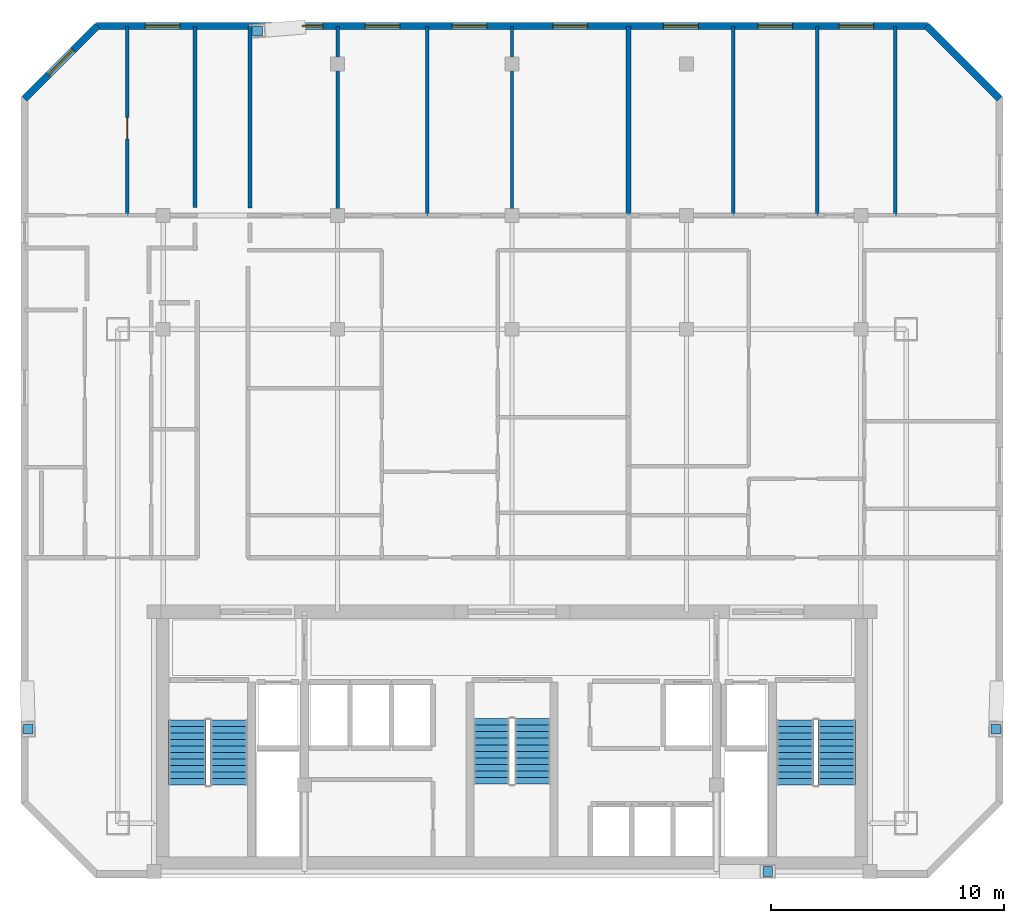
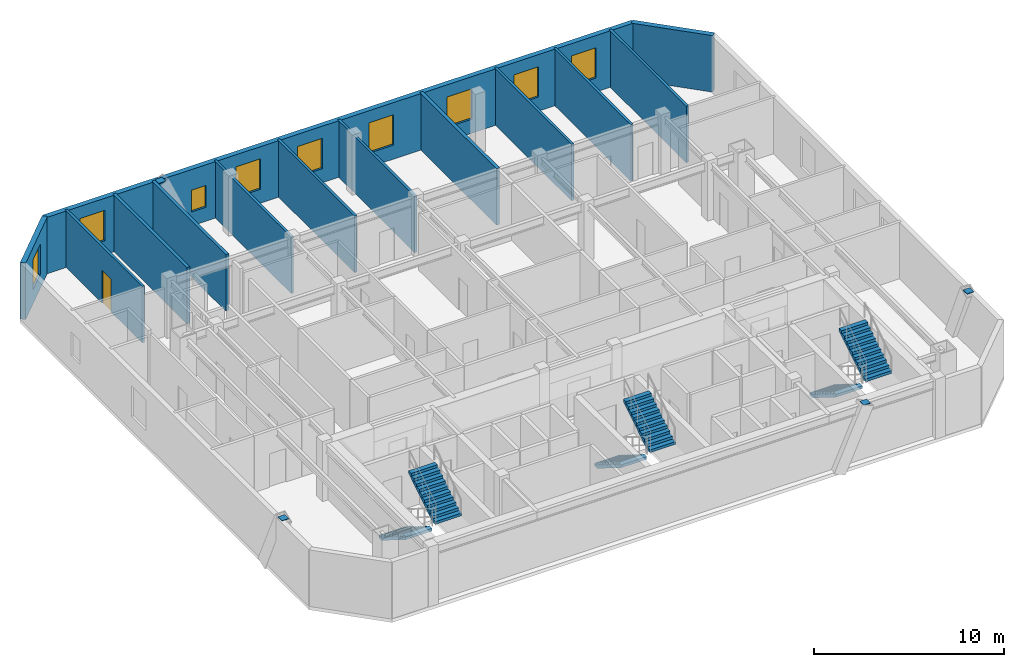
# One storey, part 6 of 7: 13 walls, 9 windows, 6 stair flights, 4 discrete accessories, 1 door, 10 openings, 3 elements without a shape of their own.
"""IFC4 building model written with IfcOpenShell, lengths in metres."""

from ifc_helpers import new_model, si_unit, direction, frame, frame_2d, origin, origin_2d, place, context, subcontext, project, spatial, polyline, rectangle, outline, extrude, material, layer, layer_set, type_object, element, fill, aggregate, save


model = new_model("IFC4")

# Units and contexts
model_context = context("Model", 3, precision=1e-05, world=origin(), true_north=direction((0.0, 1.0)))
body_context = subcontext(model_context, "Body", "Model", "MODEL_VIEW")
ifc_project = project(units=[si_unit("LENGTHUNIT", "METRE"), si_unit("AREAUNIT", "SQUARE_METRE"), si_unit("VOLUMEUNIT", "CUBIC_METRE"), si_unit("PLANEANGLEUNIT", "RADIAN"), si_unit("MASSUNIT", "GRAM", prefix="KILO")], contexts=[model_context])

# Site, building, storey
site_placement = place(None, origin())
site = spatial("IfcSite", under=ifc_project, at=site_placement, CompositionType="ELEMENT")
building_placement = place(site_placement, origin())
building = spatial("IfcBuilding", under=site, at=building_placement, Name="Ventersveld Concourse Tower", CompositionType="ELEMENT")
storey_placement = place(building_placement, frame((0.0, 0.0, 238.800048828125)))
storey = spatial("IfcBuildingStorey", under=building, at=storey_placement, Name="L59", CompositionType="ELEMENT", Elevation=238.800048828125)

# Walls
ifc_material_1 = material(Name="Fire-rated autoclaved aerated masonry blockwork", Category="masonry")
ifc_layer_1 = layer(ifc_material_1, 0.179931640625)
ifc_layer_set_1 = layer_set([ifc_layer_1], Name="Fire-rated autoclaved aerated masonry blockwork")
wall_type_1 = type_object("IfcWallType", Name="WL-CORR-180", PredefinedType="PARTITIONING", material=ifc_layer_set_1)
for number, where, z_axis, x_axis, name in (
    (1, (15.1201171875, 36.6162109375, 0.0), (0.0, 0.0, 1.0), (0.0, -1.0, 0.0), "L59 Room Enclosure Wall SP-L59-59NW-BR2"),
    (2, (17.47998046875, 28.824951171875, 0.0), (0.0, 0.0, 1.0), (0.0, 1.0, 0.0), "L59 Room Enclosure Wall SP-L59-59N1-BR1"),
):
    element("IfcWall", number, at=place(storey_placement, frame(where, z_axis=z_axis, x_axis=x_axis)), inside=storey, type_object=wall_type_1, Name=name, PredefinedType="PARTITIONING", context=body_context, shape_type="SweptSolid", body=[
        extrude(rectangle(XDim=7.791259765625, YDim=0.179931640625, at=frame_2d((3.8955078125, 0.0))), origin(), (0.0, 0.0, 1.0), 3.6298828125),
    ])
ifc_layer_2 = layer(ifc_material_1, 0.199951171875)
ifc_layer_set_2 = layer_set([ifc_layer_2], Name="Fire-rated autoclaved aerated masonry blockwork")
wall_type_2 = type_object("IfcWallType", Name="WL-DEMISE-200", PredefinedType="PARTITIONING", material=ifc_layer_set_2)
wall_1_placement = place(storey_placement, frame((33.75830078125, 28.534912109375, 0.0), z_axis=(0.0, 0.0, 1.0), x_axis=(0.0, 1.0, 0.0)))
element("IfcWall", 3, at=wall_1_placement, inside=storey, type_object=wall_type_2, Name="L59 Interior Partition SP-L59-59N1-BR4-SP-L59-59N2-BR1", PredefinedType="PARTITIONING", context=body_context, shape_type="SweptSolid", body=[
    extrude(rectangle(XDim=8.081298828125, YDim=0.199951171875, at=frame_2d((4.04052734375, 0.0))), origin(), (0.0, 0.0, 1.0), 3.6298828125),
])

# Wall, opening, door
ifc_material_2 = material(Name="Autoclaved aerated masonry blockwork", Category="masonry")
ifc_layer_3 = layer(ifc_material_2, 0.14990234375)
ifc_layer_set_3 = layer_set([ifc_layer_3], Name="Autoclaved aerated masonry blockwork")
wall_type_3 = type_object("IfcWallType", Name="WL-INT-150", PredefinedType="PARTITIONING", material=ifc_layer_set_3)
wall_2_placement = place(storey_placement, frame((12.198486328125, 28.4951171875, 0.0), z_axis=(0.0, 0.0, 1.0), x_axis=(0.0, 1.0, 0.0)))
wall_2 = element("IfcWall", 4, at=wall_2_placement, inside=storey, type_object=wall_type_3, Name="L59 Interior Partition SP-L59-59NW-BR1-SP-L59-59NW-BR2", PredefinedType="PARTITIONING", context=body_context, shape_type="SweptSolid", body=[
    extrude(rectangle(XDim=8.12109375, YDim=0.14990234375, at=frame_2d((4.060546875, 0.0))), origin(), (0.0, 0.0, 1.0), 3.6298828125),
])
opening_1_placement = place(wall_2_placement, frame((3.29443359375, 0.0, 0.0)))
opening_1 = element("IfcOpeningElement", 5, at=opening_1_placement, cuts=wall_2, Name="Opening ID1", PredefinedType="OPENING", context=body_context, shape_type="SweptSolid", body=[
    extrude(rectangle(XDim=0.919921875, YDim=2.10009765625, at=frame_2d((0.4599609375, 1.050048828125))), frame((0.0, 0.0849609375, 0.0), z_axis=(0.0, -1.0, 0.0), x_axis=(1.0, 0.0, 0.0)), (0.0, 0.0, 1.0), 0.169921875),
])
ifc_material_3 = material(Name="Solid-core hardwood veneer timber", Category="wood")
door_type = type_object("IfcDoorType", Name="DR-ROOM-092", OperationType="NOTDEFINED", PredefinedType="DOOR", material=ifc_material_3)
door_placement = place(opening_1_placement, origin())
door = element("IfcDoor", 6, at=door_placement, inside=storey, type_object=door_type, Name="L59 Interior Door Flat 59NW Bedroom 2 (D-L59-2865)", OperationType="SINGLE_SWING_RIGHT", OverallHeight=2.10009765625, OverallWidth=0.919921875, PredefinedType="DOOR", context=body_context, shape_type="SweptSolid", body=[
    extrude(rectangle(XDim=0.919921875, YDim=2.10009765625, at=frame_2d((0.4599609375, 1.050048828125))), frame((0.0, 0.02490234375, 0.0), z_axis=(0.0, -1.0, 0.0), x_axis=(1.0, 0.0, 0.0)), (0.0, 0.0, 1.0), 0.050048828125),
])
fill(opening_1, door)

# Walls
for number, where, z_axis, x_axis, name in (
    (7, (21.25, 28.4951171875, 0.0), (0.0, 0.0, 1.0), (0.0, 1.0, 0.0), "L59 Interior Partition SP-L59-59N1-BR1-SP-L59-59N1-BR2"),
    (8, (25.09765625, 28.4951171875, 0.0), (0.0, 0.0, 1.0), (0.0, 1.0, 0.0), "L59 Interior Partition SP-L59-59N1-BR2-SP-L59-59N1-BR3"),
    (9, (28.75, 28.4951171875, 0.0), (0.0, 0.0, 1.0), (0.0, 1.0, 0.0), "L59 Interior Partition SP-L59-59N1-BR3-SP-L59-59N1-BR4"),
    (10, (38.26953125, 28.4951171875, 0.0), (0.0, 0.0, 1.0), (0.0, 1.0, 0.0), "L59 Interior Partition SP-L59-59N2-BR1-SP-L59-59N2-BR2"),
    (11, (41.868896484375, 28.4951171875, 0.0), (0.0, 0.0, 1.0), (0.0, 1.0, 0.0), "L59 Interior Partition SP-L59-59N2-BR2-SP-L59-59N2-BR3"),
    (12, (45.240478515625, 28.4951171875, 0.0), (0.0, 0.0, 1.0), (0.0, 1.0, 0.0), "L59 Interior Partition SP-L59-59N2-BR3-SP-L59-59N2-BR4"),
):
    element("IfcWall", number, at=place(storey_placement, frame(where, z_axis=z_axis, x_axis=x_axis)), inside=storey, type_object=wall_type_3, Name=name, PredefinedType="PARTITIONING", context=body_context, shape_type="SweptSolid", body=[
        extrude(rectangle(XDim=8.12109375, YDim=0.14990234375, at=frame_2d((4.060546875, 0.0))), origin(), (0.0, 0.0, 1.0), 3.6298828125),
    ])
ifc_material_4 = material(Name="Precast concrete C45/55", Category="concrete")
ifc_layer_4 = layer(ifc_material_4, 0.300048828125)
ifc_layer_set_4 = layer_set([ifc_layer_4], Name="Precast concrete C45/55")
wall_type_4 = type_object("IfcWallType", Name="WL-PREC-300", PredefinedType="SOLIDWALL", material=ifc_layer_set_4)
wall_3_placement = place(storey_placement, frame((49.723388671875, 33.510986328125, 0.0), z_axis=(0.0, 0.0, 1.0), x_axis=(-0.707106781187, 0.707106781187, 0.0)))
element("IfcWall", 13, at=wall_3_placement, inside=storey, type_object=wall_type_4, Name="L59 Highveld Precast Facade Wall E04", PredefinedType="SOLIDWALL", context=body_context, shape_type="SweptSolid", body=[
    extrude(rectangle(XDim=4.4453125, YDim=0.300048828125, at=frame_2d((2.22265625, 0.0))), origin(), (0.0, 0.0, 1.0), 3.6298828125),
])

# Wall, openings, windows
wall_4_placement = place(storey_placement, frame((46.617919921875, 36.638916015625, 0.0), z_axis=(0.0, 0.0, 1.0), x_axis=(-1.0, 0.0, 0.0)))
wall_4 = element("IfcWall", 14, at=wall_4_placement, inside=storey, type_object=wall_type_4, Name="L59 Highveld Precast Facade Wall E05", PredefinedType="SOLIDWALL", context=body_context, shape_type="SweptSolid", body=[
    extrude(rectangle(XDim=35.73583984375, YDim=0.300048828125, at=frame_2d((17.867919921875, 0.0))), origin(), (0.0, 0.0, 1.0), 3.6298828125),
])
opening_2_placement = place(wall_4_placement, frame((32.1474609375, 0.0, 0.89990234375)))
opening_2 = element("IfcOpeningElement", 15, at=opening_2_placement, cuts=wall_4, Name="Opening W1", PredefinedType="OPENING", context=body_context, shape_type="SweptSolid", body=[
    extrude(rectangle(XDim=1.5, YDim=1.949951171875, at=frame_2d((0.75, 0.97509765625))), frame((0.0, 0.16015625, 0.0), z_axis=(0.0, -1.0, 0.0), x_axis=(1.0, 0.0, 0.0)), (0.0, 0.0, 1.0), 0.320068359375),
])
opening_3_placement = place(wall_4_placement, frame((25.99072265625, 0.0, 0.89990234375)))
opening_3 = element("IfcOpeningElement", 16, at=opening_3_placement, cuts=wall_4, Name="Opening W8", PredefinedType="OPENING", context=body_context, shape_type="SweptSolid", body=[
    extrude(rectangle(XDim=0.89990234375, YDim=1.39990234375, at=frame_2d((0.449951171875, 0.699951171875))), frame((0.0, 0.16015625, 0.0), z_axis=(0.0, -1.0, 0.0), x_axis=(1.0, 0.0, 0.0)), (0.0, 0.0, 1.0), 0.320068359375),
])
opening_4_placement = place(wall_4_placement, frame((22.694091796875, 0.0, 0.89990234375)))
opening_4 = element("IfcOpeningElement", 17, at=opening_4_placement, cuts=wall_4, Name="Opening W1", PredefinedType="OPENING", context=body_context, shape_type="SweptSolid", body=[
    extrude(rectangle(XDim=1.5, YDim=1.949951171875, at=frame_2d((0.75, 0.97509765625))), frame((0.0, 0.16015625, 0.0), z_axis=(0.0, -1.0, 0.0), x_axis=(1.0, 0.0, 0.0)), (0.0, 0.0, 1.0), 0.320068359375),
])
opening_5_placement = place(wall_4_placement, frame((18.944091796875, 0.0, 0.89990234375)))
opening_5 = element("IfcOpeningElement", 18, at=opening_5_placement, cuts=wall_4, Name="Opening W1", PredefinedType="OPENING", context=body_context, shape_type="SweptSolid", body=[
    extrude(rectangle(XDim=1.5, YDim=1.949951171875, at=frame_2d((0.75, 0.97509765625))), frame((0.0, 0.16015625, 0.0), z_axis=(0.0, -1.0, 0.0), x_axis=(1.0, 0.0, 0.0)), (0.0, 0.0, 1.0), 0.320068359375),
])
opening_6_placement = place(wall_4_placement, frame((14.613525390625, 0.0, 0.89990234375)))
opening_6 = element("IfcOpeningElement", 19, at=opening_6_placement, cuts=wall_4, Name="Opening W1", PredefinedType="OPENING", context=body_context, shape_type="SweptSolid", body=[
    extrude(rectangle(XDim=1.5, YDim=1.949951171875, at=frame_2d((0.75, 0.97509765625))), frame((0.0, 0.16015625, 0.0), z_axis=(0.0, -1.0, 0.0), x_axis=(1.0, 0.0, 0.0)), (0.0, 0.0, 1.0), 0.320068359375),
])
opening_7_placement = place(wall_4_placement, frame((9.853759765625, 0.0, 0.89990234375)))
opening_7 = element("IfcOpeningElement", 20, at=opening_7_placement, cuts=wall_4, Name="Opening W1", PredefinedType="OPENING", context=body_context, shape_type="SweptSolid", body=[
    extrude(rectangle(XDim=1.5, YDim=1.949951171875, at=frame_2d((0.75, 0.97509765625))), frame((0.0, 0.16015625, 0.0), z_axis=(0.0, -1.0, 0.0), x_axis=(1.0, 0.0, 0.0)), (0.0, 0.0, 1.0), 0.320068359375),
])
opening_8_placement = place(wall_4_placement, frame((5.798583984375, 0.0, 0.89990234375)))
opening_8 = element("IfcOpeningElement", 21, at=opening_8_placement, cuts=wall_4, Name="Opening W1", PredefinedType="OPENING", context=body_context, shape_type="SweptSolid", body=[
    extrude(rectangle(XDim=1.5, YDim=1.949951171875, at=frame_2d((0.75, 0.97509765625))), frame((0.0, 0.16015625, 0.0), z_axis=(0.0, -1.0, 0.0), x_axis=(1.0, 0.0, 0.0)), (0.0, 0.0, 1.0), 0.320068359375),
])
opening_9_placement = place(wall_4_placement, frame((2.31298828125, 0.0, 0.89990234375)))
opening_9 = element("IfcOpeningElement", 22, at=opening_9_placement, cuts=wall_4, Name="Opening W1", PredefinedType="OPENING", context=body_context, shape_type="SweptSolid", body=[
    extrude(rectangle(XDim=1.5, YDim=1.949951171875, at=frame_2d((0.75, 0.97509765625))), frame((0.0, 0.16015625, 0.0), z_axis=(0.0, -1.0, 0.0), x_axis=(1.0, 0.0, 0.0)), (0.0, 0.0, 1.0), 0.320068359375),
])
ifc_material_5 = material(Name="Tempered acoustic Low-E IGU", Category="glass")
window_type_1 = type_object("IfcWindowType", Name="WIN-090x140", PartitioningType="SINGLE_PANEL", PredefinedType="WINDOW", material=ifc_material_5)
window_1_placement = place(opening_3_placement, origin())
window_1 = element("IfcWindow", 23, at=window_1_placement, inside=storey, type_object=window_type_1, Name="L59 Punched Low-E Window W-0847", OverallHeight=1.39990234375, OverallWidth=0.89990234375, PartitioningType="SINGLE_PANEL", PredefinedType="WINDOW", context=body_context, shape_type="SweptSolid", body=[
    extrude(rectangle(XDim=0.89990234375, YDim=1.39990234375, at=frame_2d((0.449951171875, 0.699951171875))), frame((0.0, 0.030029296875, 0.0), z_axis=(0.0, -1.0, 0.0), x_axis=(1.0, 0.0, 0.0)), (0.0, 0.0, 1.0), 0.06005859375),
])
fill(opening_3, window_1)
window_type_2 = type_object("IfcWindowType", Name="WIN-150x210", PartitioningType="SINGLE_PANEL", PredefinedType="WINDOW", material=ifc_material_5)
window_2_placement = place(opening_2_placement, origin())
window_2 = element("IfcWindow", 24, at=window_2_placement, inside=storey, type_object=window_type_2, Name="L59 Punched Low-E Window W-0846", OverallHeight=1.949951171875, OverallWidth=1.5, PartitioningType="SINGLE_PANEL", PredefinedType="WINDOW", context=body_context, shape_type="SweptSolid", body=[
    extrude(rectangle(XDim=1.5, YDim=1.949951171875, at=frame_2d((0.75, 0.97509765625))), frame((0.0, 0.030029296875, 0.0), z_axis=(0.0, -1.0, 0.0), x_axis=(1.0, 0.0, 0.0)), (0.0, 0.0, 1.0), 0.06005859375),
])
fill(opening_2, window_2)
window_3_placement = place(opening_4_placement, origin())
window_3 = element("IfcWindow", 25, at=window_3_placement, inside=storey, type_object=window_type_2, Name="L59 Punched Low-E Window W-0848", OverallHeight=1.949951171875, OverallWidth=1.5, PartitioningType="SINGLE_PANEL", PredefinedType="WINDOW", context=body_context, shape_type="SweptSolid", body=[
    extrude(rectangle(XDim=1.5, YDim=1.949951171875, at=frame_2d((0.75, 0.97509765625))), frame((0.0, 0.030029296875, 0.0), z_axis=(0.0, -1.0, 0.0), x_axis=(1.0, 0.0, 0.0)), (0.0, 0.0, 1.0), 0.06005859375),
])
fill(opening_4, window_3)
window_4_placement = place(opening_5_placement, origin())
window_4 = element("IfcWindow", 26, at=window_4_placement, inside=storey, type_object=window_type_2, Name="L59 Punched Low-E Window W-0849", OverallHeight=1.949951171875, OverallWidth=1.5, PartitioningType="SINGLE_PANEL", PredefinedType="WINDOW", context=body_context, shape_type="SweptSolid", body=[
    extrude(rectangle(XDim=1.5, YDim=1.949951171875, at=frame_2d((0.75, 0.97509765625))), frame((0.0, 0.030029296875, 0.0), z_axis=(0.0, -1.0, 0.0), x_axis=(1.0, 0.0, 0.0)), (0.0, 0.0, 1.0), 0.06005859375),
])
fill(opening_5, window_4)
window_5_placement = place(opening_6_placement, origin())
window_5 = element("IfcWindow", 27, at=window_5_placement, inside=storey, type_object=window_type_2, Name="L59 Punched Low-E Window W-0850", OverallHeight=1.949951171875, OverallWidth=1.5, PartitioningType="SINGLE_PANEL", PredefinedType="WINDOW", context=body_context, shape_type="SweptSolid", body=[
    extrude(rectangle(XDim=1.5, YDim=1.949951171875, at=frame_2d((0.75, 0.97509765625))), frame((0.0, 0.030029296875, 0.0), z_axis=(0.0, -1.0, 0.0), x_axis=(1.0, 0.0, 0.0)), (0.0, 0.0, 1.0), 0.06005859375),
])
fill(opening_6, window_5)
window_6_placement = place(opening_7_placement, origin())
window_6 = element("IfcWindow", 28, at=window_6_placement, inside=storey, type_object=window_type_2, Name="L59 Punched Low-E Window W-0855", OverallHeight=1.949951171875, OverallWidth=1.5, PartitioningType="SINGLE_PANEL", PredefinedType="WINDOW", context=body_context, shape_type="SweptSolid", body=[
    extrude(rectangle(XDim=1.5, YDim=1.949951171875, at=frame_2d((0.75, 0.97509765625))), frame((0.0, 0.030029296875, 0.0), z_axis=(0.0, -1.0, 0.0), x_axis=(1.0, 0.0, 0.0)), (0.0, 0.0, 1.0), 0.06005859375),
])
fill(opening_7, window_6)
window_7_placement = place(opening_8_placement, origin())
window_7 = element("IfcWindow", 29, at=window_7_placement, inside=storey, type_object=window_type_2, Name="L59 Punched Low-E Window W-0856", OverallHeight=1.949951171875, OverallWidth=1.5, PartitioningType="SINGLE_PANEL", PredefinedType="WINDOW", context=body_context, shape_type="SweptSolid", body=[
    extrude(rectangle(XDim=1.5, YDim=1.949951171875, at=frame_2d((0.75, 0.97509765625))), frame((0.0, 0.030029296875, 0.0), z_axis=(0.0, -1.0, 0.0), x_axis=(1.0, 0.0, 0.0)), (0.0, 0.0, 1.0), 0.06005859375),
])
fill(opening_8, window_7)
window_8_placement = place(opening_9_placement, origin())
window_8 = element("IfcWindow", 30, at=window_8_placement, inside=storey, type_object=window_type_2, Name="L59 Punched Low-E Window W-0857", OverallHeight=1.949951171875, OverallWidth=1.5, PartitioningType="SINGLE_PANEL", PredefinedType="WINDOW", context=body_context, shape_type="SweptSolid", body=[
    extrude(rectangle(XDim=1.5, YDim=1.949951171875, at=frame_2d((0.75, 0.97509765625))), frame((0.0, 0.030029296875, 0.0), z_axis=(0.0, -1.0, 0.0), x_axis=(1.0, 0.0, 0.0)), (0.0, 0.0, 1.0), 0.06005859375),
])
fill(opening_9, window_8)

# Wall, opening, window
wall_5_placement = place(storey_placement, frame((10.919921875, 36.654296875, 0.0), z_axis=(0.0, 0.0, 1.0), x_axis=(-0.707106781187, -0.707106781187, 0.0)))
wall_5 = element("IfcWall", 31, at=wall_5_placement, inside=storey, type_object=wall_type_4, Name="L59 Highveld Precast Facade Wall E06", PredefinedType="SOLIDWALL", context=body_context, shape_type="SweptSolid", body=[
    extrude(rectangle(XDim=4.4453125, YDim=0.300048828125, at=frame_2d((2.22265625, 0.0))), origin(), (0.0, 0.0, 1.0), 3.6298828125),
])
opening_10_placement = place(wall_5_placement, frame((1.47265625, 0.0, 0.89990234375)))
opening_10 = element("IfcOpeningElement", 32, at=opening_10_placement, cuts=wall_5, Name="Opening W1", PredefinedType="OPENING", context=body_context, shape_type="SweptSolid", body=[
    extrude(rectangle(XDim=1.5, YDim=1.949951171875, at=frame_2d((0.75, 0.97509765625))), frame((0.0, 0.16015625, 0.0), z_axis=(0.0, -1.0, 0.0), x_axis=(1.0, 0.0, 0.0)), (0.0, 0.0, 1.0), 0.320068359375),
])
window_9_placement = place(opening_10_placement, origin())
window_9 = element("IfcWindow", 33, at=window_9_placement, inside=storey, type_object=window_type_2, Name="L59 Punched Low-E Window W-0845", OverallHeight=1.949951171875, OverallWidth=1.5, PartitioningType="SINGLE_PANEL", PredefinedType="WINDOW", context=body_context, shape_type="SweptSolid", body=[
    extrude(rectangle(XDim=1.5, YDim=1.949951171875, at=frame_2d((0.75, 0.97509765625))), frame((0.0, 0.030029296875, 0.0), z_axis=(0.0, -1.0, 0.0), x_axis=(1.0, 0.0, 0.0)), (0.0, 0.0, 1.0), 0.06005859375),
])
fill(opening_10, window_9)

# Stair, stair flights
ifc_material_6 = material(Name="Concrete C50/60", Category="concrete")
stair_type_1 = type_object("IfcStairType", Name="ST-DOG-155", PredefinedType="HALF_TURN_STAIR", material=ifc_material_6)
stair_1_placement = place(storey_placement, origin())
stair_1 = element("IfcStair", 34, at=stair_1_placement, inside=storey, type_object=stair_type_1, Name="L59 Protected Central Core Escape Stair ST-03", PredefinedType="HALF_TURN_STAIR")
stair_flight_type_1 = type_object("IfcStairFlightType", Name="STF-RC-155", PredefinedType="STRAIGHT", material=ifc_material_6)
stair_flight_1_placement = place(storey_placement, frame((27.875, 6.85009765625, 0.0), z_axis=(0.0, 0.0, 1.0), x_axis=(0.0, -1.0, 0.0)))
stair_flight_1 = element("IfcStairFlight", 35, at=stair_flight_1_placement, type_object=stair_flight_type_1, Name="ST-03 flight 1", NumberOfRisers=11, NumberOfTreads=10, PredefinedType="STRAIGHT", RiserHeight=0.175, TreadLength=0.28, context=body_context, shape_type="SweptSolid", body=[
    extrude(outline(polyline([(0.0, 0.0), (0.0, 0.175048828125), (0.280029296875, 0.175048828125), (0.280029296875, 0.35009765625), (0.56005859375, 0.35009765625), (0.56005859375, 0.52490234375), (0.840087890625, 0.52490234375), (0.840087890625, 0.699951171875), (1.1201171875, 0.699951171875), (1.1201171875, 0.875), (1.39990234375, 0.875), (1.39990234375, 1.050048828125), (1.679931640625, 1.050048828125), (1.679931640625, 1.22509765625), (1.9599609375, 1.22509765625), (1.9599609375, 1.39990234375), (2.239990234375, 1.39990234375), (2.239990234375, 1.574951171875), (2.52001953125, 1.574951171875), (2.52001953125, 1.75), (2.800048828125, 1.75), (2.800048828125, 1.925048828125), (2.800048828125, 1.5732421875), (0.28271484375, 0.0), (0.0, 0.0)])), frame((0.0, 0.77490234375, 0.0), z_axis=(0.0, -1.0, 0.0), x_axis=(1.0, 0.0, 0.0)), (0.0, 0.0, 1.0), 1.550048828125),
])
stair_flight_2_placement = place(storey_placement, frame((29.625, 4.050048828125, 1.925048828125), z_axis=(0.0, 0.0, 1.0), x_axis=(0.0, 1.0, 0.0)))
stair_flight_2 = element("IfcStairFlight", 36, at=stair_flight_2_placement, type_object=stair_flight_type_1, Name="ST-03 flight 2", NumberOfRisers=11, NumberOfTreads=10, PredefinedType="STRAIGHT", RiserHeight=0.175, TreadLength=0.28, context=body_context, shape_type="SweptSolid", body=[
    extrude(outline(polyline([(0.0, 0.0), (0.0, 0.175048828125), (0.280029296875, 0.175048828125), (0.280029296875, 0.35009765625), (0.56005859375, 0.35009765625), (0.56005859375, 0.52490234375), (0.840087890625, 0.52490234375), (0.840087890625, 0.699951171875), (1.1201171875, 0.699951171875), (1.1201171875, 0.875), (1.39990234375, 0.875), (1.39990234375, 1.050048828125), (1.679931640625, 1.050048828125), (1.679931640625, 1.22509765625), (1.9599609375, 1.22509765625), (1.9599609375, 1.39990234375), (2.239990234375, 1.39990234375), (2.239990234375, 1.574951171875), (2.52001953125, 1.574951171875), (2.52001953125, 1.75), (2.800048828125, 1.75), (2.800048828125, 1.925048828125), (2.800048828125, 1.5732421875), (0.28271484375, 0.0), (0.0, 0.0)])), frame((0.0, 0.77490234375, 0.0), z_axis=(0.0, -1.0, 0.0), x_axis=(1.0, 0.0, 0.0)), (0.0, 0.0, 1.0), 1.550048828125),
])
aggregate(stair_1, [stair_flight_1, stair_flight_2])

stair_type_2 = type_object("IfcStairType", Name="ST-DOG-160", PredefinedType="HALF_TURN_STAIR", material=ifc_material_6)
stair_2_placement = place(storey_placement, origin())
stair_2 = element("IfcStair", 37, at=stair_2_placement, inside=storey, type_object=stair_type_2, Name="L59 Protected Tower Escape Stair ST-01", PredefinedType="HALF_TURN_STAIR")
stair_flight_type_2 = type_object("IfcStairFlightType", Name="STF-RC-160", PredefinedType="STRAIGHT", material=ifc_material_6)
stair_flight_3_placement = place(storey_placement, frame((14.780029296875, 6.800048828125, 0.0), z_axis=(0.0, 0.0, 1.0), x_axis=(0.0, -1.0, 0.0)))
stair_flight_3 = element("IfcStairFlight", 38, at=stair_flight_3_placement, type_object=stair_flight_type_2, Name="ST-01 flight 1", NumberOfRisers=11, NumberOfTreads=10, PredefinedType="STRAIGHT", RiserHeight=0.175, TreadLength=0.28, context=body_context, shape_type="SweptSolid", body=[
    extrude(outline(polyline([(0.0, 0.0), (0.0, 0.175048828125), (0.280029296875, 0.175048828125), (0.280029296875, 0.35009765625), (0.56005859375, 0.35009765625), (0.56005859375, 0.52490234375), (0.840087890625, 0.52490234375), (0.840087890625, 0.699951171875), (1.1201171875, 0.699951171875), (1.1201171875, 0.875), (1.39990234375, 0.875), (1.39990234375, 1.050048828125), (1.679931640625, 1.050048828125), (1.679931640625, 1.22509765625), (1.9599609375, 1.22509765625), (1.9599609375, 1.39990234375), (2.239990234375, 1.39990234375), (2.239990234375, 1.574951171875), (2.52001953125, 1.574951171875), (2.52001953125, 1.75), (2.800048828125, 1.75), (2.800048828125, 1.925048828125), (2.800048828125, 1.5732421875), (0.28271484375, 0.0), (0.0, 0.0)])), frame((0.0, 0.800048828125, 0.0), z_axis=(0.0, -1.0, 0.0), x_axis=(1.0, 0.0, 0.0)), (0.0, 0.0, 1.0), 1.60009765625),
])
stair_flight_4_placement = place(storey_placement, frame((16.580078125, 4.0, 1.925048828125), z_axis=(0.0, 0.0, 1.0), x_axis=(0.0, 1.0, 0.0)))
stair_flight_4 = element("IfcStairFlight", 39, at=stair_flight_4_placement, type_object=stair_flight_type_2, Name="ST-01 flight 2", NumberOfRisers=11, NumberOfTreads=10, PredefinedType="STRAIGHT", RiserHeight=0.175, TreadLength=0.28, context=body_context, shape_type="SweptSolid", body=[
    extrude(outline(polyline([(0.0, 0.0), (0.0, 0.175048828125), (0.280029296875, 0.175048828125), (0.280029296875, 0.35009765625), (0.56005859375, 0.35009765625), (0.56005859375, 0.52490234375), (0.840087890625, 0.52490234375), (0.840087890625, 0.699951171875), (1.1201171875, 0.699951171875), (1.1201171875, 0.875), (1.39990234375, 0.875), (1.39990234375, 1.050048828125), (1.679931640625, 1.050048828125), (1.679931640625, 1.22509765625), (1.9599609375, 1.22509765625), (1.9599609375, 1.39990234375), (2.239990234375, 1.39990234375), (2.239990234375, 1.574951171875), (2.52001953125, 1.574951171875), (2.52001953125, 1.75), (2.800048828125, 1.75), (2.800048828125, 1.925048828125), (2.800048828125, 1.5732421875), (0.28271484375, 0.0), (0.0, 0.0)])), frame((0.0, 0.800048828125, 0.0), z_axis=(0.0, -1.0, 0.0), x_axis=(1.0, 0.0, 0.0)), (0.0, 0.0, 1.0), 1.60009765625),
])
aggregate(stair_2, [stair_flight_3, stair_flight_4])

stair_3_placement = place(storey_placement, origin())
stair_3 = element("IfcStair", 40, at=stair_3_placement, inside=storey, type_object=stair_type_2, Name="L59 Protected Tower Escape Stair ST-02", PredefinedType="HALF_TURN_STAIR")
stair_flight_5_placement = place(storey_placement, frame((40.919921875, 6.800048828125, 0.0), z_axis=(0.0, 0.0, 1.0), x_axis=(0.0, -1.0, 0.0)))
stair_flight_5 = element("IfcStairFlight", 41, at=stair_flight_5_placement, type_object=stair_flight_type_2, Name="ST-02 flight 1", NumberOfRisers=11, NumberOfTreads=10, PredefinedType="STRAIGHT", RiserHeight=0.175, TreadLength=0.28, context=body_context, shape_type="SweptSolid", body=[
    extrude(outline(polyline([(0.0, 0.0), (0.0, 0.175048828125), (0.280029296875, 0.175048828125), (0.280029296875, 0.35009765625), (0.56005859375, 0.35009765625), (0.56005859375, 0.52490234375), (0.840087890625, 0.52490234375), (0.840087890625, 0.699951171875), (1.1201171875, 0.699951171875), (1.1201171875, 0.875), (1.39990234375, 0.875), (1.39990234375, 1.050048828125), (1.679931640625, 1.050048828125), (1.679931640625, 1.22509765625), (1.9599609375, 1.22509765625), (1.9599609375, 1.39990234375), (2.239990234375, 1.39990234375), (2.239990234375, 1.574951171875), (2.52001953125, 1.574951171875), (2.52001953125, 1.75), (2.800048828125, 1.75), (2.800048828125, 1.925048828125), (2.800048828125, 1.5732421875), (0.28271484375, 0.0), (0.0, 0.0)])), frame((0.0, 0.800048828125, 0.0), z_axis=(0.0, -1.0, 0.0), x_axis=(1.0, 0.0, 0.0)), (0.0, 0.0, 1.0), 1.60009765625),
])
stair_flight_6_placement = place(storey_placement, frame((42.719970703125, 4.0, 1.925048828125), z_axis=(0.0, 0.0, 1.0), x_axis=(0.0, 1.0, 0.0)))
stair_flight_6 = element("IfcStairFlight", 42, at=stair_flight_6_placement, type_object=stair_flight_type_2, Name="ST-02 flight 2", NumberOfRisers=11, NumberOfTreads=10, PredefinedType="STRAIGHT", RiserHeight=0.175, TreadLength=0.28, context=body_context, shape_type="SweptSolid", body=[
    extrude(outline(polyline([(0.0, 0.0), (0.0, 0.175048828125), (0.280029296875, 0.175048828125), (0.280029296875, 0.35009765625), (0.56005859375, 0.35009765625), (0.56005859375, 0.52490234375), (0.840087890625, 0.52490234375), (0.840087890625, 0.699951171875), (1.1201171875, 0.699951171875), (1.1201171875, 0.875), (1.39990234375, 0.875), (1.39990234375, 1.050048828125), (1.679931640625, 1.050048828125), (1.679931640625, 1.22509765625), (1.9599609375, 1.22509765625), (1.9599609375, 1.39990234375), (2.239990234375, 1.39990234375), (2.239990234375, 1.574951171875), (2.52001953125, 1.574951171875), (2.52001953125, 1.75), (2.800048828125, 1.75), (2.800048828125, 1.925048828125), (2.800048828125, 1.5732421875), (0.28271484375, 0.0), (0.0, 0.0)])), frame((0.0, 0.800048828125, 0.0), z_axis=(0.0, -1.0, 0.0), x_axis=(1.0, 0.0, 0.0)), (0.0, 0.0, 1.0), 1.60009765625),
])
aggregate(stair_3, [stair_flight_5, stair_flight_6])

# Discrete accessories
ifc_material_7 = material(Name="Structural steel S355J2", Category="steel")
discrete_accessory_type = type_object("IfcDiscreteAccessoryType", Name="CONN-BRACE-ECP1", PredefinedType="BRACKET", material=ifc_material_7)
for number, where, z_axis, x_axis, name in (
    (43, (17.80224609375, 36.430908203125, 3.60986328125), (0.0, 0.0, 1.0), (1.0, 0.0, 0.0), "L59 Steel Brace End Connection Plate ECP1-0421"),
    (44, (39.747802734375, 0.280029296875, 3.60986328125), (0.0, 0.0, 1.0), (1.0, 0.0, 0.0), "L59 Steel Brace End Connection Plate ECP1-0425"),
    (45, (7.94921875, 6.402099609375, 3.60986328125), (0.0, 0.0, 1.0), (1.0, 0.0, 0.0), "L59 Steel Brace End Connection Plate ECP1-0429"),
    (46, (49.55078125, 6.402099609375, 3.60986328125), (0.0, 0.0, 1.0), (1.0, 0.0, 0.0), "L59 Steel Brace End Connection Plate ECP1-0433"),
):
    element("IfcDiscreteAccessory", number, at=place(storey_placement, frame(where, z_axis=z_axis, x_axis=x_axis)), inside=storey, type_object=discrete_accessory_type, Name=name, PredefinedType="BRACKET", context=body_context, shape_type="SweptSolid", body=[
        extrude(rectangle(XDim=0.419921875, YDim=0.419921875, at=origin_2d()), origin(), (0.0, 0.0, 1.0), 0.0400390625),
    ])

save(model, "model.ifc")
